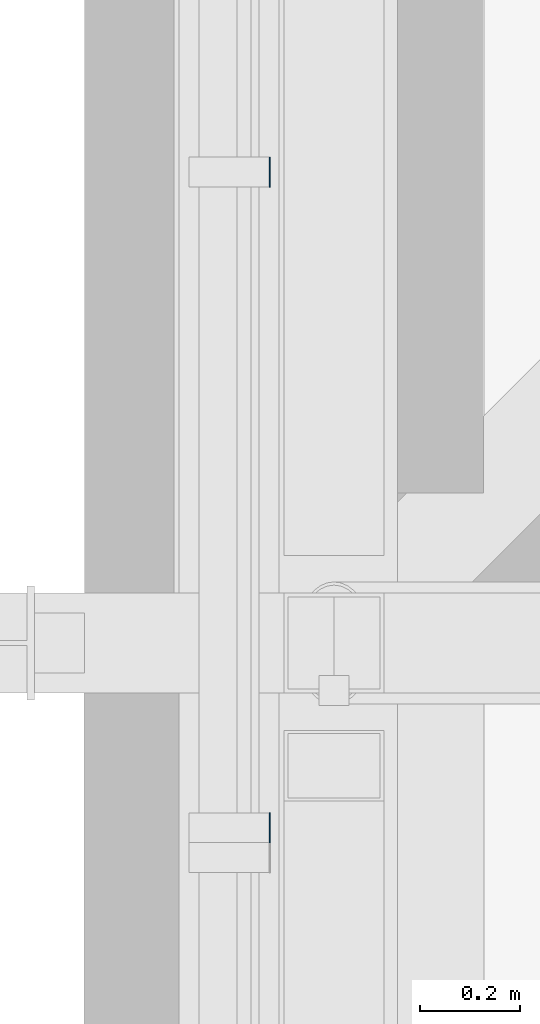
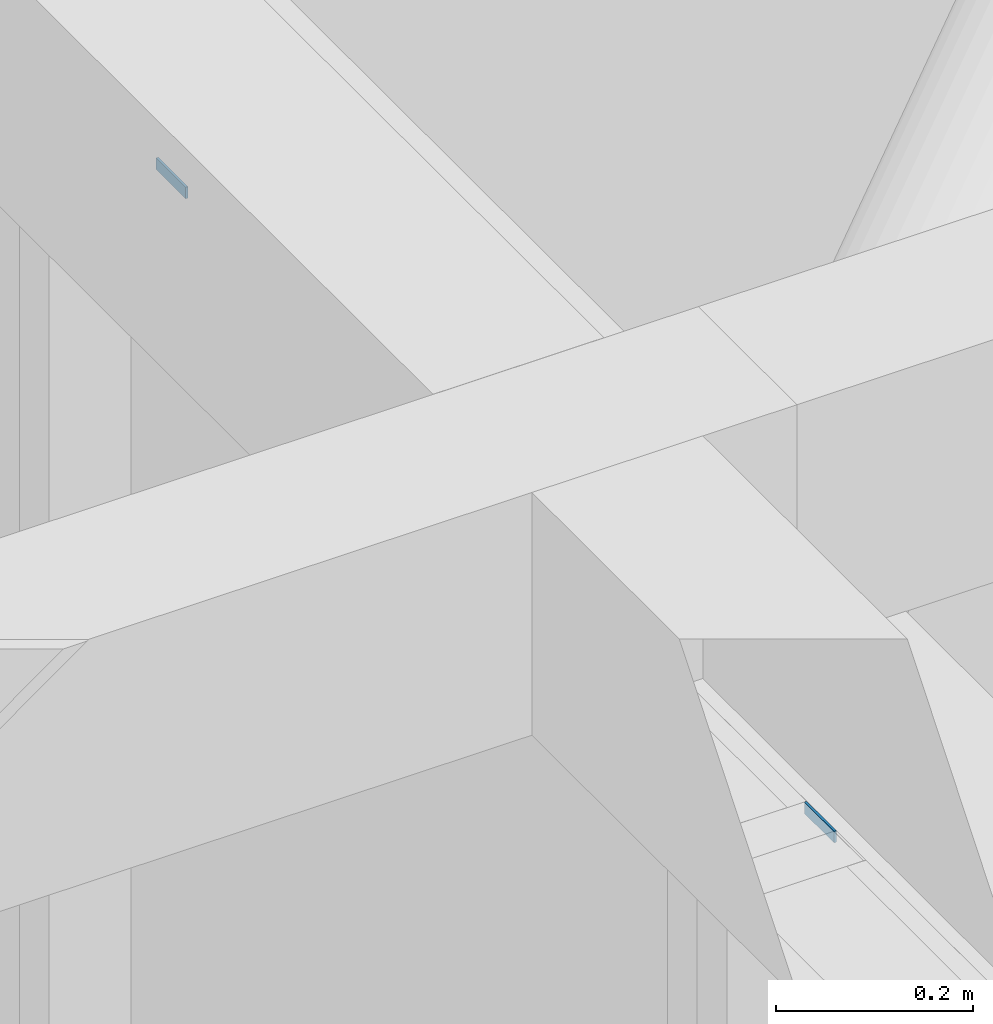
# One storey, part 427 of 646: 2 discrete accessories.
"""IFC4 building model written with IfcOpenShell, lengths in metres."""

from ifc_helpers import new_model, si_unit, direction, frame, origin, origin_2d, place, context, subcontext, project, spatial, rectangle, extrude, material, type_object, element, save


model = new_model("IFC4")

# Units and contexts
model_context = context("Model", 3, precision=1e-05, world=origin(), true_north=direction((0.0, 1.0)))
body_context = subcontext(model_context, "Body", "Model", "MODEL_VIEW")
ifc_project = project(units=[si_unit("LENGTHUNIT", "METRE"), si_unit("AREAUNIT", "SQUARE_METRE"), si_unit("VOLUMEUNIT", "CUBIC_METRE"), si_unit("PLANEANGLEUNIT", "RADIAN"), si_unit("MASSUNIT", "GRAM", prefix="KILO")], contexts=[model_context])

# Site, building, storey
site_placement = place(None, origin())
site = spatial("IfcSite", under=ifc_project, at=site_placement, CompositionType="ELEMENT")
building_placement = place(site_placement, origin())
building = spatial("IfcBuilding", under=site, at=building_placement, Name="Silverbay Arena", CompositionType="ELEMENT")
storey_placement = place(building_placement, frame((0.0, 0.0, 33.5)))
storey = spatial("IfcBuildingStorey", under=building, at=storey_placement, Name="L05", CompositionType="ELEMENT", Elevation=33.5)

# Discrete accessories
ifc_material = material(Name="Steel S355", Category="steel")
discrete_accessory_type = type_object("IfcDiscreteAccessoryType", Name="Steel bracket plate", PredefinedType="BRACKET", material=ifc_material)
for number, where, z_axis, x_axis, name in (
    (1, (53.871337890625, 134.6298828125, 12.98583984375), (0.0, 0.0, 1.0), (1.0, 0.0, 0.0), "Curtain wall packing plate"),
    (2, (53.871337890625, 135.94287109375, 12.98583984375), (0.0, 0.0, 1.0), (1.0, 0.0, 0.0), "Curtain wall packing plate"),
):
    element("IfcDiscreteAccessory", number, at=place(storey_placement, frame(where, z_axis=z_axis, x_axis=x_axis)), inside=storey, type_object=discrete_accessory_type, Name=name, PredefinedType="BRACKET", context=body_context, shape_type="SweptSolid", body=[
        extrude(rectangle(XDim=0.002685546875, YDim=0.06005859375, at=origin_2d()), origin(), (0.0, 0.0, 1.0), 0.01416015625),
    ])

save(model, "model.ifc")
